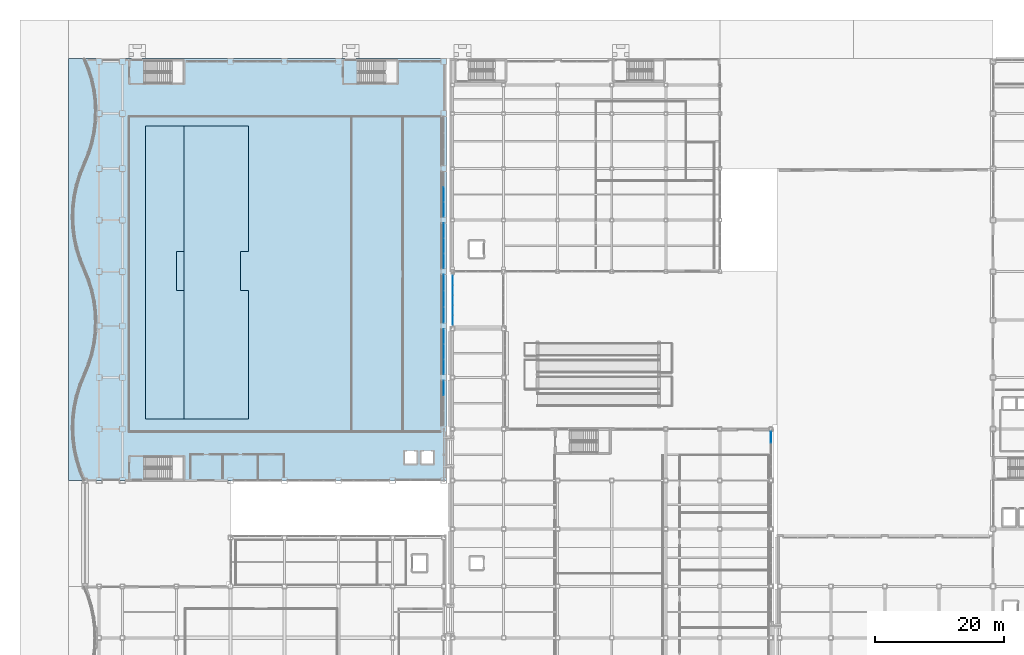
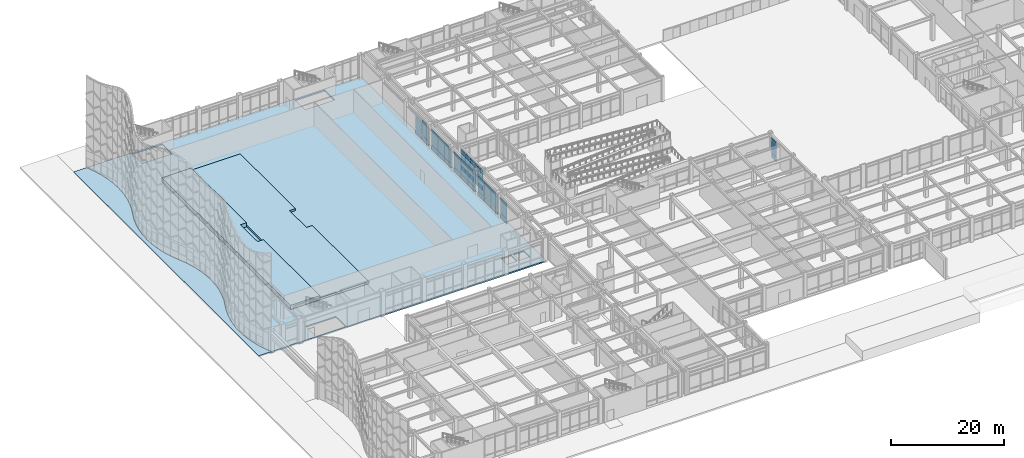
# One storey, part 115 of 165: 53 plates, 4 slabs, 7 elements without a shape of their own.
"""IFC4 building model written with IfcOpenShell, lengths in metres."""

from ifc_helpers import new_model, si_unit, direction, frame, origin, origin_2d, place, context, subcontext, project, spatial, polyline, rectangle, outline, extrude, material, layer, layer_set, type_object, element, aggregate, save


model = new_model("IFC4")

# Units and contexts
model_context = context("Model", 3, precision=1e-05, world=origin(), true_north=direction((0.0, 1.0)))
body_context = subcontext(model_context, "Body", "Model", "MODEL_VIEW")
ifc_project = project(units=[si_unit("LENGTHUNIT", "METRE"), si_unit("AREAUNIT", "SQUARE_METRE"), si_unit("VOLUMEUNIT", "CUBIC_METRE"), si_unit("PLANEANGLEUNIT", "RADIAN"), si_unit("MASSUNIT", "GRAM", prefix="KILO")], contexts=[model_context])

# Site, building, storey
site_placement = place(None, origin())
site = spatial("IfcSite", under=ifc_project, at=site_placement, CompositionType="ELEMENT")
building_placement = place(site_placement, origin())
building = spatial("IfcBuilding", under=site, at=building_placement, Name="Kazehara Bluff Congress Hotel", CompositionType="ELEMENT")
storey_placement = place(building_placement, origin())
storey = spatial("IfcBuildingStorey", under=building, at=storey_placement, Name="L00", CompositionType="ELEMENT", Elevation=0.0)

# Curtain wall, plates
ifc_material_1 = material(Name="Anodised aluminium", Category="aluminium")
ifc_layer_1 = layer(ifc_material_1, 0.159912109375)
ifc_layer_set_1 = layer_set([ifc_layer_1], Name="Anodised aluminium")
curtain_wall_type_1 = type_object("IfcCurtainWallType", Name="TP-CW-01", PredefinedType="NOTDEFINED", material=ifc_layer_set_1)
curtain_wall_1_placement = place(storey_placement, origin())
curtain_wall_1 = element("IfcCurtainWall", 1, at=curtain_wall_1_placement, inside=storey, type_object=curtain_wall_type_1, Name="L00 curtain wall CW-01 CW-BRG-34-L00-A", PredefinedType="NOTDEFINED")
ifc_material_2 = material(Name="Insulated low-E double glazing", Category="glass")
ifc_layer_2 = layer(ifc_material_2, 0.031982421875)
ifc_layer_set_2 = layer_set([ifc_layer_2], Name="Insulated low-E double glazing")
plate_type = type_object("IfcPlateType", Name="TP-CWP-02", PredefinedType="CURTAIN_PANEL", material=ifc_layer_set_2)
plate_1_placement = place(storey_placement, frame((59.75, 73.347412109375, 0.06494140625), z_axis=(0.0, 0.0, 1.0), x_axis=(0.0, 1.0, 0.0)))
plate_1 = element("IfcPlate", 2, at=plate_1_placement, type_object=plate_type, Name="CW-01 panel 1.1", PredefinedType="CURTAIN_PANEL", context=body_context, shape_type="SweptSolid", body=[
    extrude(rectangle(XDim=1.455078125, YDim=0.031982421875, at=origin_2d()), origin(), (0.0, 0.0, 1.0), 0.952392578125),
])
plate_2_placement = place(storey_placement, frame((59.75, 73.347412109375, 1.08251953125), z_axis=(0.0, 0.0, 1.0), x_axis=(0.0, 1.0, 0.0)))
plate_2 = element("IfcPlate", 3, at=plate_2_placement, type_object=plate_type, Name="CW-01 panel 1.2", PredefinedType="CURTAIN_PANEL", context=body_context, shape_type="SweptSolid", body=[
    extrude(rectangle(XDim=1.455078125, YDim=0.031982421875, at=origin_2d()), origin(), (0.0, 0.0, 1.0), 2.860107421875),
])
plate_3_placement = place(storey_placement, frame((59.75, 73.347412109375, 4.00732421875), z_axis=(0.0, 0.0, 1.0), x_axis=(0.0, 1.0, 0.0)))
plate_3 = element("IfcPlate", 4, at=plate_3_placement, type_object=plate_type, Name="CW-01 panel 1.3", PredefinedType="CURTAIN_PANEL", context=body_context, shape_type="SweptSolid", body=[
    extrude(rectangle(XDim=1.455078125, YDim=0.031982421875, at=origin_2d()), origin(), (0.0, 0.0, 1.0), 0.552490234375),
])
plate_4_placement = place(storey_placement, frame((59.75, 74.889892578125, 0.06494140625), z_axis=(0.0, 0.0, 1.0), x_axis=(0.0, 1.0, 0.0)))
plate_4 = element("IfcPlate", 5, at=plate_4_placement, type_object=plate_type, Name="CW-01 panel 2.1", PredefinedType="CURTAIN_PANEL", context=body_context, shape_type="SweptSolid", body=[
    extrude(rectangle(XDim=1.489990234375, YDim=0.031982421875, at=origin_2d()), origin(), (0.0, 0.0, 1.0), 0.952392578125),
])
plate_5_placement = place(storey_placement, frame((59.75, 74.889892578125, 1.08251953125), z_axis=(0.0, 0.0, 1.0), x_axis=(0.0, 1.0, 0.0)))
plate_5 = element("IfcPlate", 6, at=plate_5_placement, type_object=plate_type, Name="CW-01 panel 2.2", PredefinedType="CURTAIN_PANEL", context=body_context, shape_type="SweptSolid", body=[
    extrude(rectangle(XDim=1.489990234375, YDim=0.031982421875, at=origin_2d()), origin(), (0.0, 0.0, 1.0), 2.860107421875),
])
plate_6_placement = place(storey_placement, frame((59.75, 74.889892578125, 4.00732421875), z_axis=(0.0, 0.0, 1.0), x_axis=(0.0, 1.0, 0.0)))
plate_6 = element("IfcPlate", 7, at=plate_6_placement, type_object=plate_type, Name="CW-01 panel 2.3", PredefinedType="CURTAIN_PANEL", context=body_context, shape_type="SweptSolid", body=[
    extrude(rectangle(XDim=1.489990234375, YDim=0.031982421875, at=origin_2d()), origin(), (0.0, 0.0, 1.0), 0.552490234375),
])
plate_7_placement = place(storey_placement, frame((59.75, 76.449951171875, 0.06494140625), z_axis=(0.0, 0.0, 1.0), x_axis=(0.0, 1.0, 0.0)))
plate_7 = element("IfcPlate", 8, at=plate_7_placement, type_object=plate_type, Name="CW-01 panel 3.1", PredefinedType="CURTAIN_PANEL", context=body_context, shape_type="SweptSolid", body=[
    extrude(rectangle(XDim=1.489990234375, YDim=0.031982421875, at=origin_2d()), origin(), (0.0, 0.0, 1.0), 0.952392578125),
])
plate_8_placement = place(storey_placement, frame((59.75, 76.449951171875, 1.08251953125), z_axis=(0.0, 0.0, 1.0), x_axis=(0.0, 1.0, 0.0)))
plate_8 = element("IfcPlate", 9, at=plate_8_placement, type_object=plate_type, Name="CW-01 panel 3.2", PredefinedType="CURTAIN_PANEL", context=body_context, shape_type="SweptSolid", body=[
    extrude(rectangle(XDim=1.489990234375, YDim=0.031982421875, at=origin_2d()), origin(), (0.0, 0.0, 1.0), 2.860107421875),
])
plate_9_placement = place(storey_placement, frame((59.75, 76.449951171875, 4.00732421875), z_axis=(0.0, 0.0, 1.0), x_axis=(0.0, 1.0, 0.0)))
plate_9 = element("IfcPlate", 10, at=plate_9_placement, type_object=plate_type, Name="CW-01 panel 3.3", PredefinedType="CURTAIN_PANEL", context=body_context, shape_type="SweptSolid", body=[
    extrude(rectangle(XDim=1.489990234375, YDim=0.031982421875, at=origin_2d()), origin(), (0.0, 0.0, 1.0), 0.552490234375),
])
plate_10_placement = place(storey_placement, frame((59.75, 78.010009765625, 0.06494140625), z_axis=(0.0, 0.0, 1.0), x_axis=(0.0, 1.0, 0.0)))
plate_10 = element("IfcPlate", 11, at=plate_10_placement, type_object=plate_type, Name="CW-01 panel 4.1", PredefinedType="CURTAIN_PANEL", context=body_context, shape_type="SweptSolid", body=[
    extrude(rectangle(XDim=1.489990234375, YDim=0.031982421875, at=origin_2d()), origin(), (0.0, 0.0, 1.0), 0.952392578125),
])
plate_11_placement = place(storey_placement, frame((59.75, 78.010009765625, 1.08251953125), z_axis=(0.0, 0.0, 1.0), x_axis=(0.0, 1.0, 0.0)))
plate_11 = element("IfcPlate", 12, at=plate_11_placement, type_object=plate_type, Name="CW-01 panel 4.2", PredefinedType="CURTAIN_PANEL", context=body_context, shape_type="SweptSolid", body=[
    extrude(rectangle(XDim=1.489990234375, YDim=0.031982421875, at=origin_2d()), origin(), (0.0, 0.0, 1.0), 2.860107421875),
])
plate_12_placement = place(storey_placement, frame((59.75, 78.010009765625, 4.00732421875), z_axis=(0.0, 0.0, 1.0), x_axis=(0.0, 1.0, 0.0)))
plate_12 = element("IfcPlate", 13, at=plate_12_placement, type_object=plate_type, Name="CW-01 panel 4.3", PredefinedType="CURTAIN_PANEL", context=body_context, shape_type="SweptSolid", body=[
    extrude(rectangle(XDim=1.489990234375, YDim=0.031982421875, at=origin_2d()), origin(), (0.0, 0.0, 1.0), 0.552490234375),
])
plate_13_placement = place(storey_placement, frame((59.75, 79.552490234375, 0.06494140625), z_axis=(0.0, 0.0, 1.0), x_axis=(0.0, 1.0, 0.0)))
plate_13 = element("IfcPlate", 14, at=plate_13_placement, type_object=plate_type, Name="CW-01 panel 5.1", PredefinedType="CURTAIN_PANEL", context=body_context, shape_type="SweptSolid", body=[
    extrude(rectangle(XDim=1.455078125, YDim=0.031982421875, at=origin_2d()), origin(), (0.0, 0.0, 1.0), 0.952392578125),
])
plate_14_placement = place(storey_placement, frame((59.75, 79.552490234375, 1.08251953125), z_axis=(0.0, 0.0, 1.0), x_axis=(0.0, 1.0, 0.0)))
plate_14 = element("IfcPlate", 15, at=plate_14_placement, type_object=plate_type, Name="CW-01 panel 5.2", PredefinedType="CURTAIN_PANEL", context=body_context, shape_type="SweptSolid", body=[
    extrude(rectangle(XDim=1.455078125, YDim=0.031982421875, at=origin_2d()), origin(), (0.0, 0.0, 1.0), 2.860107421875),
])
plate_15_placement = place(storey_placement, frame((59.75, 79.552490234375, 4.00732421875), z_axis=(0.0, 0.0, 1.0), x_axis=(0.0, 1.0, 0.0)))
plate_15 = element("IfcPlate", 16, at=plate_15_placement, type_object=plate_type, Name="CW-01 panel 5.3", PredefinedType="CURTAIN_PANEL", context=body_context, shape_type="SweptSolid", body=[
    extrude(rectangle(XDim=1.455078125, YDim=0.031982421875, at=origin_2d()), origin(), (0.0, 0.0, 1.0), 0.552490234375),
])
aggregate(curtain_wall_1, [plate_1, plate_2, plate_3, plate_4, plate_5, plate_6, plate_7, plate_8, plate_9, plate_10, plate_11, plate_12, plate_13, plate_14, plate_15])

ifc_material_3 = material(Name="Anodised aluminium", Category="aluminium")
ifc_layer_3 = layer(ifc_material_3, 0.159912109375)
ifc_layer_set_3 = layer_set([ifc_layer_3], Name="Anodised aluminium")
curtain_wall_type_2 = type_object("IfcCurtainWallType", Name="TP-CW-17", PredefinedType="NOTDEFINED", material=ifc_layer_set_3)
curtain_wall_2_placement = place(storey_placement, origin())
curtain_wall_2 = element("IfcCurtainWall", 17, at=curtain_wall_2_placement, inside=storey, type_object=curtain_wall_type_2, Name="L00 curtain wall CW-17 CW-V1-L00-X5835-5690", PredefinedType="NOTDEFINED")
plate_16_placement = place(storey_placement, frame((58.35009765625, 62.799072265625, 0.06494140625), z_axis=(0.0, 0.0, 1.0), x_axis=(0.0, 1.0, 0.0)))
plate_16 = element("IfcPlate", 18, at=plate_16_placement, type_object=plate_type, Name="CW-17 panel 3.1", PredefinedType="CURTAIN_PANEL", context=body_context, shape_type="SweptSolid", body=[
    extrude(rectangle(XDim=2.26171875, YDim=0.031982421875, at=origin_2d()), origin(), (0.0, 0.0, 1.0), 0.952392578125),
])
plate_17_placement = place(storey_placement, frame((58.35009765625, 62.799072265625, 1.08251953125), z_axis=(0.0, 0.0, 1.0), x_axis=(0.0, 1.0, 0.0)))
plate_17 = element("IfcPlate", 19, at=plate_17_placement, type_object=plate_type, Name="CW-17 panel 3.2", PredefinedType="CURTAIN_PANEL", context=body_context, shape_type="SweptSolid", body=[
    extrude(rectangle(XDim=2.26171875, YDim=0.031982421875, at=origin_2d()), origin(), (0.0, 0.0, 1.0), 2.7099609375),
])
plate_18_placement = place(storey_placement, frame((58.35009765625, 62.799072265625, 3.857421875), z_axis=(0.0, 0.0, 1.0), x_axis=(0.0, 1.0, 0.0)))
plate_18 = element("IfcPlate", 20, at=plate_18_placement, type_object=plate_type, Name="CW-17 panel 3.3", PredefinedType="CURTAIN_PANEL", context=body_context, shape_type="SweptSolid", body=[
    extrude(rectangle(XDim=2.26171875, YDim=0.031982421875, at=origin_2d()), origin(), (0.0, 0.0, 1.0), 0.552490234375),
])
aggregate(curtain_wall_2, [plate_16, plate_17, plate_18])

curtain_wall_3_placement = place(storey_placement, origin())
curtain_wall_3 = element("IfcCurtainWall", 21, at=curtain_wall_3_placement, inside=storey, type_object=curtain_wall_type_2, Name="L00 curtain wall CW-17 CW-V1-L00-X5835-6490", PredefinedType="NOTDEFINED")
plate_19_placement = place(storey_placement, frame((58.35009765625, 66.100830078125, 0.06494140625), z_axis=(0.0, 0.0, 1.0), x_axis=(0.0, 1.0, 0.0)))
plate_19 = element("IfcPlate", 22, at=plate_19_placement, type_object=plate_type, Name="CW-17 panel 1.1", PredefinedType="CURTAIN_PANEL", context=body_context, shape_type="SweptSolid", body=[
    extrude(rectangle(XDim=2.26171875, YDim=0.031982421875, at=origin_2d()), origin(), (0.0, 0.0, 1.0), 0.952392578125),
])
plate_20_placement = place(storey_placement, frame((58.35009765625, 66.100830078125, 1.08251953125), z_axis=(0.0, 0.0, 1.0), x_axis=(0.0, 1.0, 0.0)))
plate_20 = element("IfcPlate", 23, at=plate_20_placement, type_object=plate_type, Name="CW-17 panel 1.2", PredefinedType="CURTAIN_PANEL", context=body_context, shape_type="SweptSolid", body=[
    extrude(rectangle(XDim=2.26171875, YDim=0.031982421875, at=origin_2d()), origin(), (0.0, 0.0, 1.0), 2.7099609375),
])
plate_21_placement = place(storey_placement, frame((58.35009765625, 66.100830078125, 3.857421875), z_axis=(0.0, 0.0, 1.0), x_axis=(0.0, 1.0, 0.0)))
plate_21 = element("IfcPlate", 24, at=plate_21_placement, type_object=plate_type, Name="CW-17 panel 1.3", PredefinedType="CURTAIN_PANEL", context=body_context, shape_type="SweptSolid", body=[
    extrude(rectangle(XDim=2.26171875, YDim=0.031982421875, at=origin_2d()), origin(), (0.0, 0.0, 1.0), 0.552490234375),
])
plate_22_placement = place(storey_placement, frame((58.35009765625, 68.449951171875, 0.06494140625), z_axis=(0.0, 0.0, 1.0), x_axis=(0.0, 1.0, 0.0)))
plate_22 = element("IfcPlate", 25, at=plate_22_placement, type_object=plate_type, Name="CW-17 panel 2.1", PredefinedType="CURTAIN_PANEL", context=body_context, shape_type="SweptSolid", body=[
    extrude(rectangle(XDim=2.296630859375, YDim=0.031982421875, at=origin_2d()), origin(), (0.0, 0.0, 1.0), 0.952392578125),
])
plate_23_placement = place(storey_placement, frame((58.35009765625, 68.449951171875, 1.08251953125), z_axis=(0.0, 0.0, 1.0), x_axis=(0.0, 1.0, 0.0)))
plate_23 = element("IfcPlate", 26, at=plate_23_placement, type_object=plate_type, Name="CW-17 panel 2.2", PredefinedType="CURTAIN_PANEL", context=body_context, shape_type="SweptSolid", body=[
    extrude(rectangle(XDim=2.296630859375, YDim=0.031982421875, at=origin_2d()), origin(), (0.0, 0.0, 1.0), 2.7099609375),
])
plate_24_placement = place(storey_placement, frame((58.35009765625, 68.449951171875, 3.857421875), z_axis=(0.0, 0.0, 1.0), x_axis=(0.0, 1.0, 0.0)))
plate_24 = element("IfcPlate", 27, at=plate_24_placement, type_object=plate_type, Name="CW-17 panel 2.3", PredefinedType="CURTAIN_PANEL", context=body_context, shape_type="SweptSolid", body=[
    extrude(rectangle(XDim=2.296630859375, YDim=0.031982421875, at=origin_2d()), origin(), (0.0, 0.0, 1.0), 0.552490234375),
])
plate_25_placement = place(storey_placement, frame((58.35009765625, 70.799072265625, 0.06494140625), z_axis=(0.0, 0.0, 1.0), x_axis=(0.0, 1.0, 0.0)))
plate_25 = element("IfcPlate", 28, at=plate_25_placement, type_object=plate_type, Name="CW-17 panel 3.1", PredefinedType="CURTAIN_PANEL", context=body_context, shape_type="SweptSolid", body=[
    extrude(rectangle(XDim=2.26171875, YDim=0.031982421875, at=origin_2d()), origin(), (0.0, 0.0, 1.0), 0.952392578125),
])
plate_26_placement = place(storey_placement, frame((58.35009765625, 70.799072265625, 1.08251953125), z_axis=(0.0, 0.0, 1.0), x_axis=(0.0, 1.0, 0.0)))
plate_26 = element("IfcPlate", 29, at=plate_26_placement, type_object=plate_type, Name="CW-17 panel 3.2", PredefinedType="CURTAIN_PANEL", context=body_context, shape_type="SweptSolid", body=[
    extrude(rectangle(XDim=2.26171875, YDim=0.031982421875, at=origin_2d()), origin(), (0.0, 0.0, 1.0), 2.7099609375),
])
plate_27_placement = place(storey_placement, frame((58.35009765625, 70.799072265625, 3.857421875), z_axis=(0.0, 0.0, 1.0), x_axis=(0.0, 1.0, 0.0)))
plate_27 = element("IfcPlate", 30, at=plate_27_placement, type_object=plate_type, Name="CW-17 panel 3.3", PredefinedType="CURTAIN_PANEL", context=body_context, shape_type="SweptSolid", body=[
    extrude(rectangle(XDim=2.26171875, YDim=0.031982421875, at=origin_2d()), origin(), (0.0, 0.0, 1.0), 0.552490234375),
])
aggregate(curtain_wall_3, [plate_19, plate_20, plate_21, plate_22, plate_23, plate_24, plate_25, plate_26, plate_27])

ifc_material_4 = material(Name="Anodised aluminium", Category="aluminium")
ifc_layer_4 = layer(ifc_material_4, 0.159912109375)
ifc_layer_set_4 = layer_set([ifc_layer_4], Name="Anodised aluminium")
curtain_wall_type_3 = type_object("IfcCurtainWallType", Name="TP-CW-18", PredefinedType="NOTDEFINED", material=ifc_layer_set_4)
curtain_wall_4_placement = place(storey_placement, origin())
curtain_wall_4 = element("IfcCurtainWall", 31, at=curtain_wall_4_placement, inside=storey, type_object=curtain_wall_type_3, Name="L00 curtain wall CW-18 CW-V1-L00-X5835-7290", PredefinedType="NOTDEFINED")
plate_28_placement = place(storey_placement, frame((58.35009765625, 74.17578125, 0.06494140625), z_axis=(0.0, 0.0, 1.0), x_axis=(0.0, 1.0, 0.0)))
plate_28 = element("IfcPlate", 32, at=plate_28_placement, type_object=plate_type, Name="CW-18 panel 1.1", PredefinedType="CURTAIN_PANEL", context=body_context, shape_type="SweptSolid", body=[
    extrude(rectangle(XDim=2.41162109375, YDim=0.031982421875, at=origin_2d()), origin(), (0.0, 0.0, 1.0), 0.952392578125),
])
plate_29_placement = place(storey_placement, frame((58.35009765625, 74.17578125, 1.08251953125), z_axis=(0.0, 0.0, 1.0), x_axis=(0.0, 1.0, 0.0)))
plate_29 = element("IfcPlate", 33, at=plate_29_placement, type_object=plate_type, Name="CW-18 panel 1.2", PredefinedType="CURTAIN_PANEL", context=body_context, shape_type="SweptSolid", body=[
    extrude(rectangle(XDim=2.41162109375, YDim=0.031982421875, at=origin_2d()), origin(), (0.0, 0.0, 1.0), 2.7099609375),
])
plate_30_placement = place(storey_placement, frame((58.35009765625, 74.17578125, 3.857421875), z_axis=(0.0, 0.0, 1.0), x_axis=(0.0, 1.0, 0.0)))
plate_30 = element("IfcPlate", 34, at=plate_30_placement, type_object=plate_type, Name="CW-18 panel 1.3", PredefinedType="CURTAIN_PANEL", context=body_context, shape_type="SweptSolid", body=[
    extrude(rectangle(XDim=2.41162109375, YDim=0.031982421875, at=origin_2d()), origin(), (0.0, 0.0, 1.0), 0.552490234375),
])
plate_31_placement = place(storey_placement, frame((58.35009765625, 76.675048828125, 0.06494140625), z_axis=(0.0, 0.0, 1.0), x_axis=(0.0, 1.0, 0.0)))
plate_31 = element("IfcPlate", 35, at=plate_31_placement, type_object=plate_type, Name="CW-18 panel 2.1", PredefinedType="CURTAIN_PANEL", context=body_context, shape_type="SweptSolid", body=[
    extrude(rectangle(XDim=2.44677734375, YDim=0.031982421875, at=origin_2d()), origin(), (0.0, 0.0, 1.0), 0.952392578125),
])
plate_32_placement = place(storey_placement, frame((58.35009765625, 76.675048828125, 1.08251953125), z_axis=(0.0, 0.0, 1.0), x_axis=(0.0, 1.0, 0.0)))
plate_32 = element("IfcPlate", 36, at=plate_32_placement, type_object=plate_type, Name="CW-18 panel 2.2", PredefinedType="CURTAIN_PANEL", context=body_context, shape_type="SweptSolid", body=[
    extrude(rectangle(XDim=2.44677734375, YDim=0.031982421875, at=origin_2d()), origin(), (0.0, 0.0, 1.0), 2.7099609375),
])
plate_33_placement = place(storey_placement, frame((58.35009765625, 76.675048828125, 3.857421875), z_axis=(0.0, 0.0, 1.0), x_axis=(0.0, 1.0, 0.0)))
plate_33 = element("IfcPlate", 37, at=plate_33_placement, type_object=plate_type, Name="CW-18 panel 2.3", PredefinedType="CURTAIN_PANEL", context=body_context, shape_type="SweptSolid", body=[
    extrude(rectangle(XDim=2.44677734375, YDim=0.031982421875, at=origin_2d()), origin(), (0.0, 0.0, 1.0), 0.552490234375),
])
plate_34_placement = place(storey_placement, frame((58.35009765625, 79.174072265625, 0.06494140625), z_axis=(0.0, 0.0, 1.0), x_axis=(0.0, 1.0, 0.0)))
plate_34 = element("IfcPlate", 38, at=plate_34_placement, type_object=plate_type, Name="CW-18 panel 3.1", PredefinedType="CURTAIN_PANEL", context=body_context, shape_type="SweptSolid", body=[
    extrude(rectangle(XDim=2.41162109375, YDim=0.031982421875, at=origin_2d()), origin(), (0.0, 0.0, 1.0), 0.952392578125),
])
plate_35_placement = place(storey_placement, frame((58.35009765625, 79.174072265625, 1.08251953125), z_axis=(0.0, 0.0, 1.0), x_axis=(0.0, 1.0, 0.0)))
plate_35 = element("IfcPlate", 39, at=plate_35_placement, type_object=plate_type, Name="CW-18 panel 3.2", PredefinedType="CURTAIN_PANEL", context=body_context, shape_type="SweptSolid", body=[
    extrude(rectangle(XDim=2.41162109375, YDim=0.031982421875, at=origin_2d()), origin(), (0.0, 0.0, 1.0), 2.7099609375),
])
plate_36_placement = place(storey_placement, frame((58.35009765625, 79.174072265625, 3.857421875), z_axis=(0.0, 0.0, 1.0), x_axis=(0.0, 1.0, 0.0)))
plate_36 = element("IfcPlate", 40, at=plate_36_placement, type_object=plate_type, Name="CW-18 panel 3.3", PredefinedType="CURTAIN_PANEL", context=body_context, shape_type="SweptSolid", body=[
    extrude(rectangle(XDim=2.41162109375, YDim=0.031982421875, at=origin_2d()), origin(), (0.0, 0.0, 1.0), 0.552490234375),
])
aggregate(curtain_wall_4, [plate_28, plate_29, plate_30, plate_31, plate_32, plate_33, plate_34, plate_35, plate_36])

curtain_wall_5_placement = place(storey_placement, origin())
curtain_wall_5 = element("IfcCurtainWall", 41, at=curtain_wall_5_placement, inside=storey, type_object=curtain_wall_type_2, Name="L00 curtain wall CW-17 CW-V1-L00-X5835-8135", PredefinedType="NOTDEFINED")
plate_37_placement = place(storey_placement, frame((58.35009765625, 82.55078125, 0.06494140625), z_axis=(0.0, 0.0, 1.0), x_axis=(0.0, 1.0, 0.0)))
plate_37 = element("IfcPlate", 42, at=plate_37_placement, type_object=plate_type, Name="CW-17 panel 1.1", PredefinedType="CURTAIN_PANEL", context=body_context, shape_type="SweptSolid", body=[
    extrude(rectangle(XDim=2.26171875, YDim=0.031982421875, at=origin_2d()), origin(), (0.0, 0.0, 1.0), 0.952392578125),
])
plate_38_placement = place(storey_placement, frame((58.35009765625, 82.55078125, 1.08251953125), z_axis=(0.0, 0.0, 1.0), x_axis=(0.0, 1.0, 0.0)))
plate_38 = element("IfcPlate", 43, at=plate_38_placement, type_object=plate_type, Name="CW-17 panel 1.2", PredefinedType="CURTAIN_PANEL", context=body_context, shape_type="SweptSolid", body=[
    extrude(rectangle(XDim=2.26171875, YDim=0.031982421875, at=origin_2d()), origin(), (0.0, 0.0, 1.0), 2.7099609375),
])
plate_39_placement = place(storey_placement, frame((58.35009765625, 82.55078125, 3.857421875), z_axis=(0.0, 0.0, 1.0), x_axis=(0.0, 1.0, 0.0)))
plate_39 = element("IfcPlate", 44, at=plate_39_placement, type_object=plate_type, Name="CW-17 panel 1.3", PredefinedType="CURTAIN_PANEL", context=body_context, shape_type="SweptSolid", body=[
    extrude(rectangle(XDim=2.26171875, YDim=0.031982421875, at=origin_2d()), origin(), (0.0, 0.0, 1.0), 0.552490234375),
])
plate_40_placement = place(storey_placement, frame((58.35009765625, 84.89990234375, 0.06494140625), z_axis=(0.0, 0.0, 1.0), x_axis=(0.0, 1.0, 0.0)))
plate_40 = element("IfcPlate", 45, at=plate_40_placement, type_object=plate_type, Name="CW-17 panel 2.1", PredefinedType="CURTAIN_PANEL", context=body_context, shape_type="SweptSolid", body=[
    extrude(rectangle(XDim=2.296630859375, YDim=0.031982421875, at=origin_2d()), origin(), (0.0, 0.0, 1.0), 0.952392578125),
])
plate_41_placement = place(storey_placement, frame((58.35009765625, 84.89990234375, 1.08251953125), z_axis=(0.0, 0.0, 1.0), x_axis=(0.0, 1.0, 0.0)))
plate_41 = element("IfcPlate", 46, at=plate_41_placement, type_object=plate_type, Name="CW-17 panel 2.2", PredefinedType="CURTAIN_PANEL", context=body_context, shape_type="SweptSolid", body=[
    extrude(rectangle(XDim=2.296630859375, YDim=0.031982421875, at=origin_2d()), origin(), (0.0, 0.0, 1.0), 2.7099609375),
])
plate_42_placement = place(storey_placement, frame((58.35009765625, 84.89990234375, 3.857421875), z_axis=(0.0, 0.0, 1.0), x_axis=(0.0, 1.0, 0.0)))
plate_42 = element("IfcPlate", 47, at=plate_42_placement, type_object=plate_type, Name="CW-17 panel 2.3", PredefinedType="CURTAIN_PANEL", context=body_context, shape_type="SweptSolid", body=[
    extrude(rectangle(XDim=2.296630859375, YDim=0.031982421875, at=origin_2d()), origin(), (0.0, 0.0, 1.0), 0.552490234375),
])
plate_43_placement = place(storey_placement, frame((58.35009765625, 87.249267578125, 0.06494140625), z_axis=(0.0, 0.0, 1.0), x_axis=(0.0, 1.0, 0.0)))
plate_43 = element("IfcPlate", 48, at=plate_43_placement, type_object=plate_type, Name="CW-17 panel 3.1", PredefinedType="CURTAIN_PANEL", context=body_context, shape_type="SweptSolid", body=[
    extrude(rectangle(XDim=2.26171875, YDim=0.031982421875, at=origin_2d()), origin(), (0.0, 0.0, 1.0), 0.952392578125),
])
plate_44_placement = place(storey_placement, frame((58.35009765625, 87.249267578125, 1.08251953125), z_axis=(0.0, 0.0, 1.0), x_axis=(0.0, 1.0, 0.0)))
plate_44 = element("IfcPlate", 49, at=plate_44_placement, type_object=plate_type, Name="CW-17 panel 3.2", PredefinedType="CURTAIN_PANEL", context=body_context, shape_type="SweptSolid", body=[
    extrude(rectangle(XDim=2.26171875, YDim=0.031982421875, at=origin_2d()), origin(), (0.0, 0.0, 1.0), 2.7099609375),
])
plate_45_placement = place(storey_placement, frame((58.35009765625, 87.249267578125, 3.857421875), z_axis=(0.0, 0.0, 1.0), x_axis=(0.0, 1.0, 0.0)))
plate_45 = element("IfcPlate", 50, at=plate_45_placement, type_object=plate_type, Name="CW-17 panel 3.3", PredefinedType="CURTAIN_PANEL", context=body_context, shape_type="SweptSolid", body=[
    extrude(rectangle(XDim=2.26171875, YDim=0.031982421875, at=origin_2d()), origin(), (0.0, 0.0, 1.0), 0.552490234375),
])
aggregate(curtain_wall_5, [plate_37, plate_38, plate_39, plate_40, plate_41, plate_42, plate_43, plate_44, plate_45])

curtain_wall_6_placement = place(storey_placement, origin())
curtain_wall_6 = element("IfcCurtainWall", 51, at=curtain_wall_6_placement, inside=storey, type_object=curtain_wall_type_2, Name="L00 curtain wall CW-17 CW-V1-L00-X5835-8935", PredefinedType="NOTDEFINED")
plate_46_placement = place(storey_placement, frame((58.35009765625, 90.55078125, 0.06494140625), z_axis=(0.0, 0.0, 1.0), x_axis=(0.0, 1.0, 0.0)))
plate_46 = element("IfcPlate", 52, at=plate_46_placement, type_object=plate_type, Name="CW-17 panel 1.1", PredefinedType="CURTAIN_PANEL", context=body_context, shape_type="SweptSolid", body=[
    extrude(rectangle(XDim=2.26171875, YDim=0.031982421875, at=origin_2d()), origin(), (0.0, 0.0, 1.0), 0.952392578125),
])
plate_47_placement = place(storey_placement, frame((58.35009765625, 90.55078125, 1.08251953125), z_axis=(0.0, 0.0, 1.0), x_axis=(0.0, 1.0, 0.0)))
plate_47 = element("IfcPlate", 53, at=plate_47_placement, type_object=plate_type, Name="CW-17 panel 1.2", PredefinedType="CURTAIN_PANEL", context=body_context, shape_type="SweptSolid", body=[
    extrude(rectangle(XDim=2.26171875, YDim=0.031982421875, at=origin_2d()), origin(), (0.0, 0.0, 1.0), 2.7099609375),
])
plate_48_placement = place(storey_placement, frame((58.35009765625, 90.55078125, 3.857421875), z_axis=(0.0, 0.0, 1.0), x_axis=(0.0, 1.0, 0.0)))
plate_48 = element("IfcPlate", 54, at=plate_48_placement, type_object=plate_type, Name="CW-17 panel 1.3", PredefinedType="CURTAIN_PANEL", context=body_context, shape_type="SweptSolid", body=[
    extrude(rectangle(XDim=2.26171875, YDim=0.031982421875, at=origin_2d()), origin(), (0.0, 0.0, 1.0), 0.552490234375),
])
plate_49_placement = place(storey_placement, frame((58.35009765625, 92.89990234375, 0.06494140625), z_axis=(0.0, 0.0, 1.0), x_axis=(0.0, 1.0, 0.0)))
plate_49 = element("IfcPlate", 55, at=plate_49_placement, type_object=plate_type, Name="CW-17 panel 2.1", PredefinedType="CURTAIN_PANEL", context=body_context, shape_type="SweptSolid", body=[
    extrude(rectangle(XDim=2.296630859375, YDim=0.031982421875, at=origin_2d()), origin(), (0.0, 0.0, 1.0), 0.952392578125),
])
plate_50_placement = place(storey_placement, frame((58.35009765625, 92.89990234375, 1.08251953125), z_axis=(0.0, 0.0, 1.0), x_axis=(0.0, 1.0, 0.0)))
plate_50 = element("IfcPlate", 56, at=plate_50_placement, type_object=plate_type, Name="CW-17 panel 2.2", PredefinedType="CURTAIN_PANEL", context=body_context, shape_type="SweptSolid", body=[
    extrude(rectangle(XDim=2.296630859375, YDim=0.031982421875, at=origin_2d()), origin(), (0.0, 0.0, 1.0), 2.7099609375),
])
aggregate(curtain_wall_6, [plate_46, plate_47, plate_48, plate_49, plate_50])

ifc_material_5 = material(Name="Anodised aluminium", Category="aluminium")
ifc_layer_5 = layer(ifc_material_5, 0.159912109375)
ifc_layer_set_5 = layer_set([ifc_layer_5], Name="Anodised aluminium")
curtain_wall_type_4 = type_object("IfcCurtainWallType", Name="TP-CW-52", PredefinedType="NOTDEFINED", material=ifc_layer_set_5)
curtain_wall_7_placement = place(storey_placement, origin())
curtain_wall_7 = element("IfcCurtainWall", 57, at=curtain_wall_7_placement, inside=storey, type_object=curtain_wall_type_4, Name="L00 curtain wall CW-52 CW-V4-L00-X10920-4878", PredefinedType="NOTDEFINED")
plate_51_placement = place(storey_placement, frame((109.199951171875, 55.188720703125, 0.06494140625), z_axis=(0.0, 0.0, 1.0), x_axis=(0.0, 1.0, 0.0)))
plate_51 = element("IfcPlate", 58, at=plate_51_placement, type_object=plate_type, Name="CW-52 panel 4.1", PredefinedType="CURTAIN_PANEL", context=body_context, shape_type="SweptSolid", body=[
    extrude(rectangle(XDim=1.732421875, YDim=0.031982421875, at=origin_2d()), origin(), (0.0, 0.0, 1.0), 0.952392578125),
])
plate_52_placement = place(storey_placement, frame((109.199951171875, 55.188720703125, 1.08251953125), z_axis=(0.0, 0.0, 1.0), x_axis=(0.0, 1.0, 0.0)))
plate_52 = element("IfcPlate", 59, at=plate_52_placement, type_object=plate_type, Name="CW-52 panel 4.2", PredefinedType="CURTAIN_PANEL", context=body_context, shape_type="SweptSolid", body=[
    extrude(rectangle(XDim=1.732421875, YDim=0.031982421875, at=origin_2d()), origin(), (0.0, 0.0, 1.0), 2.7099609375),
])
plate_53_placement = place(storey_placement, frame((109.199951171875, 55.188720703125, 3.857421875), z_axis=(0.0, 0.0, 1.0), x_axis=(0.0, 1.0, 0.0)))
plate_53 = element("IfcPlate", 60, at=plate_53_placement, type_object=plate_type, Name="CW-52 panel 4.3", PredefinedType="CURTAIN_PANEL", context=body_context, shape_type="SweptSolid", body=[
    extrude(rectangle(XDim=1.732421875, YDim=0.031982421875, at=origin_2d()), origin(), (0.0, 0.0, 1.0), 0.552490234375),
])
aggregate(curtain_wall_7, [plate_51, plate_52, plate_53])

# Slabs
ifc_material_6 = material(Name="Concrete C36/45", Category="concrete")
ifc_layer_6 = layer(ifc_material_6, 0.280029296875)
ifc_layer_set_6 = layer_set([ifc_layer_6], Name="Concrete C36/45")
slab_type_1 = type_object("IfcSlabType", Name="TP-SL-280", PredefinedType="FLOOR", material=ifc_layer_set_6)
slab_1_placement = place(storey_placement, frame((0.0, 0.0, -0.280029296875)))
element("IfcSlab", 61, at=slab_1_placement, inside=storey, type_object=slab_type_1, Name="L00 V1 composite floor slab", PredefinedType="FLOOR", context=body_context, shape_type="SweptSolid", body=[
    extrude(outline(polyline([(58.800048828125, 48.449951171875), (58.800048828125, 114.0), (2.60009765625, 114.0), (3.27001953125, 112.360107421875), (3.77490234375, 110.719970703125), (4.1298828125, 109.0849609375), (4.3349609375, 107.445068359375), (4.405029296875, 105.804931640625), (4.3349609375, 104.1650390625), (4.1298828125, 102.530029296875), (3.77490234375, 100.889892578125), (3.27001953125, 99.25), (2.60009765625, 97.610107421875), (1.929931640625, 95.97509765625), (1.425048828125, 94.3349609375), (1.070068359375, 92.695068359375), (0.864990234375, 91.06005859375), (0.794921875, 89.419921875), (0.864990234375, 87.780029296875), (1.070068359375, 86.139892578125), (1.425048828125, 84.5), (1.929931640625, 82.864990234375), (2.60009765625, 81.22509765625), (3.27001953125, 79.5849609375), (3.77490234375, 77.949951171875), (4.1298828125, 76.31005859375), (4.3349609375, 74.669921875), (4.405029296875, 73.030029296875), (4.3349609375, 71.389892578125), (4.1298828125, 69.7548828125), (3.77490234375, 68.114990234375), (3.27001953125, 66.47509765625), (2.60009765625, 64.840087890625), (1.929931640625, 63.199951171875), (1.425048828125, 61.56005859375), (1.070068359375, 59.919921875), (0.864990234375, 58.280029296875), (0.794921875, 56.64501953125), (0.864990234375, 55.0048828125), (1.070068359375, 53.364990234375), (1.425048828125, 51.72998046875), (1.929931640625, 50.090087890625), (2.60009765625, 48.449951171875), (58.800048828125, 48.449951171875)]), holes=[polyline([(11.824951171875, 110.14990234375), (17.89990234375, 110.14990234375), (17.89990234375, 113.64990234375), (11.824951171875, 113.64990234375), (11.824951171875, 110.14990234375)]), polyline([(45.02490234375, 110.14990234375), (51.10009765625, 110.14990234375), (51.10009765625, 113.64990234375), (45.02490234375, 113.64990234375), (45.02490234375, 110.14990234375)]), polyline([(11.824951171875, 48.64990234375), (17.89990234375, 48.64990234375), (17.89990234375, 52.14990234375), (11.824951171875, 52.14990234375), (11.824951171875, 48.64990234375)]), polyline([(52.14990234375, 50.949951171875), (54.25, 50.949951171875), (54.25, 53.050048828125), (52.14990234375, 53.050048828125), (52.14990234375, 50.949951171875)]), polyline([(54.75, 50.949951171875), (56.85009765625, 50.949951171875), (56.85009765625, 53.050048828125), (54.75, 53.050048828125), (54.75, 50.949951171875)])]), origin(), (0.0, 0.0, 1.0), 0.280029296875),
])
ifc_material_7 = material(Name="Concrete C36/45", Category="concrete")
ifc_layer_7 = layer(ifc_material_7, 0.260009765625)
ifc_layer_set_7 = layer_set([ifc_layer_7], Name="Concrete C36/45")
slab_type_2 = type_object("IfcSlabType", Name="TP-SL-GND", PredefinedType="FLOOR", material=ifc_layer_set_7)
slab_2_placement = place(storey_placement, frame((0.0, 0.0, -0.260009765625)))
element("IfcSlab", 62, at=slab_2_placement, inside=storey, type_object=slab_type_2, Name="Congress western wave promenade", PredefinedType="FLOOR", context=body_context, shape_type="SweptSolid", body=[
    extrude(outline(polyline([(0.0, 48.449951171875), (2.60009765625, 48.449951171875), (1.929931640625, 50.090087890625), (1.425048828125, 51.72998046875), (1.070068359375, 53.364990234375), (0.864990234375, 55.0048828125), (0.794921875, 56.64501953125), (0.864990234375, 58.280029296875), (1.070068359375, 59.919921875), (1.425048828125, 61.56005859375), (1.929931640625, 63.199951171875), (2.60009765625, 64.840087890625), (3.27001953125, 66.47509765625), (3.77490234375, 68.114990234375), (4.1298828125, 69.7548828125), (4.3349609375, 71.389892578125), (4.405029296875, 73.030029296875), (4.3349609375, 74.669921875), (4.1298828125, 76.31005859375), (3.77490234375, 77.949951171875), (3.27001953125, 79.5849609375), (2.60009765625, 81.22509765625), (1.929931640625, 82.864990234375), (1.425048828125, 84.5), (1.070068359375, 86.139892578125), (0.864990234375, 87.780029296875), (0.794921875, 89.419921875), (0.864990234375, 91.06005859375), (1.070068359375, 92.695068359375), (1.425048828125, 94.3349609375), (1.929931640625, 95.97509765625), (2.60009765625, 97.610107421875), (3.27001953125, 99.25), (3.77490234375, 100.889892578125), (4.1298828125, 102.530029296875), (4.3349609375, 104.1650390625), (4.405029296875, 105.804931640625), (4.3349609375, 107.445068359375), (4.1298828125, 109.0849609375), (3.77490234375, 110.719970703125), (3.27001953125, 112.360107421875), (2.60009765625, 114.0), (0.0, 114.0), (0.0, 48.449951171875)])), origin(), (0.0, 0.0, 1.0), 0.260009765625),
])
ifc_material_8 = material(Name="Precast concrete C40/50", Category="concrete")
ifc_layer_8 = layer(ifc_material_8, 0.449951171875)
ifc_layer_set_8 = layer_set([ifc_layer_8], Name="Precast concrete C40/50")
slab_type_3 = type_object("IfcSlabType", Name="TP-SL-TIER", PredefinedType="FLOOR", material=ifc_layer_set_8)
slab_3_placement = place(storey_placement, origin())
element("IfcSlab", 63, at=slab_3_placement, inside=storey, type_object=slab_type_3, Name="Congress Hall seating tier slab 1", PredefinedType="FLOOR", context=body_context, shape_type="SweptSolid", body=[
    extrude(outline(polyline([(18.0, 58.0), (28.0, 58.0), (28.0, 78.0), (26.800048828125, 78.0), (26.800048828125, 84.0), (28.0, 84.0), (28.0, 103.5), (18.0, 103.5), (18.0, 58.0)])), origin(), (0.0, 0.0, 1.0), 0.449951171875),
])
ifc_material_9 = material(Name="Precast concrete C40/50", Category="concrete")
ifc_layer_9 = layer(ifc_material_9, 0.89990234375)
ifc_layer_set_9 = layer_set([ifc_layer_9], Name="Precast concrete C40/50")
slab_type_4 = type_object("IfcSlabType", Name="TP-SL-TR9", PredefinedType="FLOOR", material=ifc_layer_set_9)
slab_4_placement = place(storey_placement, origin())
element("IfcSlab", 64, at=slab_4_placement, inside=storey, type_object=slab_type_4, Name="Congress Hall seating tier slab 2", PredefinedType="FLOOR", context=body_context, shape_type="SweptSolid", body=[
    extrude(outline(polyline([(12.0, 58.0), (18.0, 58.0), (18.0, 78.0), (16.800048828125, 78.0), (16.800048828125, 84.0), (18.0, 84.0), (18.0, 103.5), (12.0, 103.5), (12.0, 58.0)])), origin(), (0.0, 0.0, 1.0), 0.89990234375),
])

save(model, "model.ifc")
